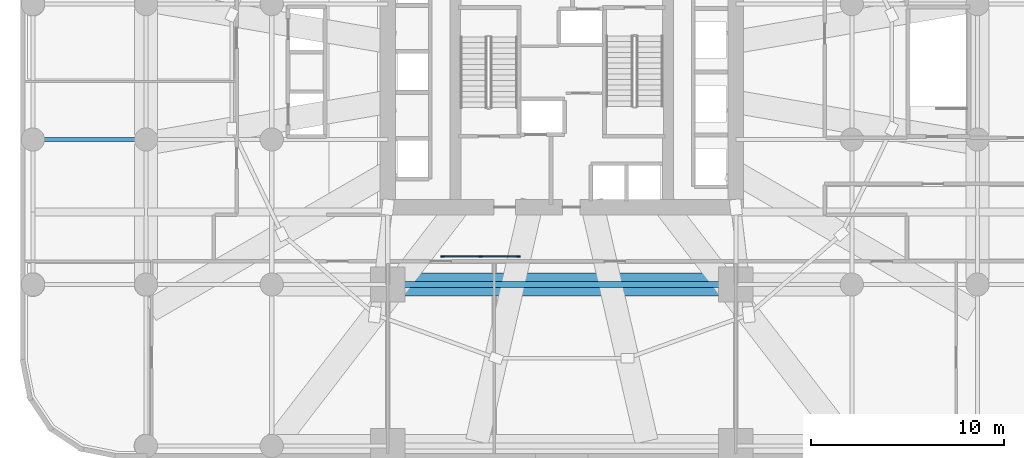
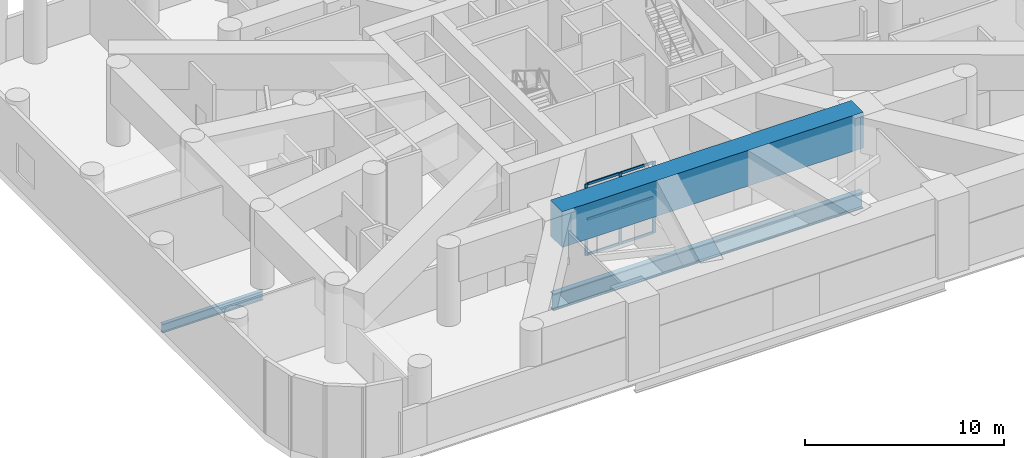
# One storey, part 2 of 10: 9 members, 3 beams, 1 element without a shape of its own.
"""IFC4 building model written with IfcOpenShell, lengths in metres."""

from ifc_helpers import new_model, si_unit, direction, frame, origin, origin_2d, place, context, subcontext, project, spatial, rectangle, i_section, extrude, material, material_profile, profile_set, type_object, element, aggregate, save


model = new_model("IFC4")

# Units and contexts
model_context = context("Model", 3, precision=1e-05, world=origin(), true_north=direction((0.0, 1.0)))
body_context = subcontext(model_context, "Body", "Model", "MODEL_VIEW")
ifc_project = project(units=[si_unit("LENGTHUNIT", "METRE"), si_unit("AREAUNIT", "SQUARE_METRE"), si_unit("VOLUMEUNIT", "CUBIC_METRE"), si_unit("PLANEANGLEUNIT", "RADIAN"), si_unit("MASSUNIT", "GRAM", prefix="KILO")], contexts=[model_context])

# Site, building, storey
site_placement = place(None, origin())
site = spatial("IfcSite", under=ifc_project, at=site_placement, CompositionType="ELEMENT")
building_placement = place(site_placement, origin())
building = spatial("IfcBuilding", under=site, at=building_placement, Name="Veldorim Arch Residences", CompositionType="ELEMENT")
storey_placement = place(building_placement, frame((0.0, 0.0, 20.0)))
storey = spatial("IfcBuildingStorey", under=building, at=storey_placement, Name="L05", CompositionType="ELEMENT", Elevation=20.0)

# Curtain wall, members
ifc_material_1 = material(Name="Aluminium", Category="aluminium")
curtain_wall_type = type_object("IfcCurtainWallType", Name="Crown Faceted Fritted Laminated Curtain Wall", PredefinedType="NOTDEFINED", material=ifc_material_1)
curtain_wall_placement = place(storey_placement, origin())
curtain_wall = element("IfcCurtainWall", 1, at=curtain_wall_placement, inside=storey, type_object=curtain_wall_type, Name="L05 S arch bridge clerestory curtain wall", PredefinedType="NOTDEFINED")
ifc_material_2 = material(Name="Aluminium", Category="aluminium")
ifc_material_profile_1 = material_profile(ifc_material_2, rectangle(XDim=0.070068359375, YDim=0.169921875, at=origin_2d()), Name="ALU_MUL_70x170")
ifc_profile_set_1 = profile_set([ifc_material_profile_1], Name="Aluminium")
member_type_1 = type_object("IfcMemberType", Name="Crown Faceted Fritted Laminated Curtain Wall Mullion 70x170", PredefinedType="MULLION", material=ifc_profile_set_1)
member_1_placement = place(storey_placement, frame((25.8349609375, 14.449951171875, 0.0), z_axis=(0.0, 0.0, 1.0), x_axis=(0.0, 1.0, 0.0)))
member_1 = element("IfcMember", 2, at=member_1_placement, type_object=member_type_1, Name="CW-CRN mullion 1", PredefinedType="MULLION", context=body_context, shape_type="SweptSolid", body=[
    extrude(rectangle(XDim=0.070068359375, YDim=0.169921875, at=origin_2d()), origin(), (0.0, 0.0, 1.0), 4.3798828125),
])
member_2_placement = place(storey_placement, frame((27.800048828125, 14.449951171875, 0.0), z_axis=(0.0, 0.0, 1.0), x_axis=(0.0, 1.0, 0.0)))
member_2 = element("IfcMember", 3, at=member_2_placement, type_object=member_type_1, Name="CW-CRN mullion 2", PredefinedType="MULLION", context=body_context, shape_type="SweptSolid", body=[
    extrude(rectangle(XDim=0.070068359375, YDim=0.169921875, at=origin_2d()), origin(), (0.0, 0.0, 1.0), 4.3798828125),
])
member_3_placement = place(storey_placement, frame((29.764892578125, 14.449951171875, 0.0), z_axis=(0.0, 0.0, 1.0), x_axis=(0.0, 1.0, 0.0)))
member_3 = element("IfcMember", 4, at=member_3_placement, type_object=member_type_1, Name="CW-CRN mullion 3", PredefinedType="MULLION", context=body_context, shape_type="SweptSolid", body=[
    extrude(rectangle(XDim=0.070068359375, YDim=0.169921875, at=origin_2d()), origin(), (0.0, 0.0, 1.0), 4.3798828125),
])
ifc_material_3 = material(Name="Aluminium", Category="aluminium")
ifc_material_profile_2 = material_profile(ifc_material_3, rectangle(XDim=0.070068359375, YDim=0.14990234375, at=origin_2d()), Name="ALU_TRN_70x150")
ifc_profile_set_2 = profile_set([ifc_material_profile_2], Name="Aluminium")
member_type_2 = type_object("IfcMemberType", Name="Crown Faceted Fritted Laminated Curtain Wall Transom 70x150", PredefinedType="USERDEFINED", material=ifc_profile_set_2)
member_4_placement = place(storey_placement, frame((25.8701171875, 14.449951171875, 0.034912109375), z_axis=(1.0, 0.0, 0.0), x_axis=(0.0, 1.0, 0.0)))
member_4 = element("IfcMember", 5, at=member_4_placement, type_object=member_type_2, Name="CW-CRN transom 1.1", ObjectType="TRANSOM", PredefinedType="USERDEFINED", context=body_context, shape_type="SweptSolid", body=[
    extrude(rectangle(XDim=0.070068359375, YDim=0.14990234375, at=origin_2d()), origin(), (0.0, 0.0, 1.0), 1.894775390625),
])
member_5_placement = place(storey_placement, frame((25.8701171875, 14.449951171875, 2.18994140625), z_axis=(1.0, 0.0, 0.0), x_axis=(0.0, 1.0, 0.0)))
member_5 = element("IfcMember", 6, at=member_5_placement, type_object=member_type_2, Name="CW-CRN transom 1.2", ObjectType="TRANSOM", PredefinedType="USERDEFINED", context=body_context, shape_type="SweptSolid", body=[
    extrude(rectangle(XDim=0.070068359375, YDim=0.14990234375, at=origin_2d()), origin(), (0.0, 0.0, 1.0), 1.894775390625),
])
member_6_placement = place(storey_placement, frame((25.8701171875, 14.449951171875, 4.344970703125), z_axis=(1.0, 0.0, 0.0), x_axis=(0.0, 1.0, 0.0)))
member_6 = element("IfcMember", 7, at=member_6_placement, type_object=member_type_2, Name="CW-CRN transom 1.3", ObjectType="TRANSOM", PredefinedType="USERDEFINED", context=body_context, shape_type="SweptSolid", body=[
    extrude(rectangle(XDim=0.070068359375, YDim=0.14990234375, at=origin_2d()), origin(), (0.0, 0.0, 1.0), 1.894775390625),
])
member_7_placement = place(storey_placement, frame((27.8349609375, 14.449951171875, 0.034912109375), z_axis=(1.0, 0.0, 0.0), x_axis=(0.0, 1.0, 0.0)))
member_7 = element("IfcMember", 8, at=member_7_placement, type_object=member_type_2, Name="CW-CRN transom 2.1", ObjectType="TRANSOM", PredefinedType="USERDEFINED", context=body_context, shape_type="SweptSolid", body=[
    extrude(rectangle(XDim=0.070068359375, YDim=0.14990234375, at=origin_2d()), origin(), (0.0, 0.0, 1.0), 1.89501953125),
])
member_8_placement = place(storey_placement, frame((27.8349609375, 14.449951171875, 2.18994140625), z_axis=(1.0, 0.0, 0.0), x_axis=(0.0, 1.0, 0.0)))
member_8 = element("IfcMember", 9, at=member_8_placement, type_object=member_type_2, Name="CW-CRN transom 2.2", ObjectType="TRANSOM", PredefinedType="USERDEFINED", context=body_context, shape_type="SweptSolid", body=[
    extrude(rectangle(XDim=0.070068359375, YDim=0.14990234375, at=origin_2d()), origin(), (0.0, 0.0, 1.0), 1.89501953125),
])
member_9_placement = place(storey_placement, frame((27.8349609375, 14.449951171875, 4.344970703125), z_axis=(1.0, 0.0, 0.0), x_axis=(0.0, 1.0, 0.0)))
member_9 = element("IfcMember", 10, at=member_9_placement, type_object=member_type_2, Name="CW-CRN transom 2.3", ObjectType="TRANSOM", PredefinedType="USERDEFINED", context=body_context, shape_type="SweptSolid", body=[
    extrude(rectangle(XDim=0.070068359375, YDim=0.14990234375, at=origin_2d()), origin(), (0.0, 0.0, 1.0), 1.89501953125),
])
aggregate(curtain_wall, [member_1, member_2, member_3, member_4, member_5, member_6, member_7, member_8, member_9])

# Beams
ifc_material_4 = material(Name="Concrete C60/75", Category="concrete")
ifc_material_profile_3 = material_profile(ifc_material_4, rectangle(XDim=1.199951171875, YDim=2.199951171875, at=origin_2d()), Name="RC_RECT_1200x2200")
ifc_profile_set_3 = profile_set([ifc_material_profile_3], Name="Concrete C60/75")
beam_type_1 = type_object("IfcBeamType", Name="Reinforced Concrete TRANSFER GIRDER RC_RECT_1200x2200", PredefinedType="USERDEFINED", material=ifc_profile_set_3)
beam_1_placement = place(storey_placement, frame((23.25, 13.0, 3.699951171875), z_axis=(1.0, 0.0, 0.0), x_axis=(0.0, 1.0, 0.0)))
element("IfcBeam", 11, at=beam_1_placement, inside=storey, type_object=beam_type_1, Name="L05 primary east-west transfer girder Y=13.00 M", ObjectType="TRANSFER GIRDER", PredefinedType="USERDEFINED", context=body_context, shape_type="SweptSolid", body=[
    extrude(rectangle(XDim=1.199951171875, YDim=2.199951171875, at=origin_2d()), origin(), (0.0, 0.0, 1.0), 17.5),
])
ifc_material_5 = material(Name="Steel S355", Category="steel")
ifc_material_profile_4 = material_profile(ifc_material_5, i_section(OverallWidth=0.2119140625, OverallDepth=0.54443359375, WebThickness=0.0126953125, FlangeThickness=0.021240234375, at=origin_2d()), Name="UB533x210x122")
ifc_profile_set_4 = profile_set([ifc_material_profile_4], Name="Steel S355")
beam_type_2 = type_object("IfcBeamType", Name="Structural Steel Beam UB533x210x122", PredefinedType="BEAM", material=ifc_profile_set_4)
beam_2_placement = place(storey_placement, frame((4.64990234375, 20.5, -0.72216796875), z_axis=(1.0, 0.0, 0.0), x_axis=(0.0, 1.0, 0.0)))
element("IfcBeam", 12, at=beam_2_placement, inside=storey, type_object=beam_type_2, Name="L05 east-west floor beam (4.7-10.5, Y=20.5)", PredefinedType="BEAM", context=body_context, shape_type="SweptSolid", body=[
    extrude(i_section(OverallWidth=0.2119140625, OverallDepth=0.54443359375, WebThickness=0.0126953125, FlangeThickness=0.021240234375, at=origin_2d()), origin(), (0.0, 0.0, 1.0), 5.85009765625),
])
ifc_material_6 = material(Name="Steel S460", Category="steel")
ifc_material_profile_5 = material_profile(ifc_material_6, i_section(OverallWidth=0.305419921875, OverallDepth=1.02587890625, WebThickness=0.02685546875, FlangeThickness=0.053955078125, at=origin_2d()), Name="UB1016x305x437")
ifc_profile_set_5 = profile_set([ifc_material_profile_5], Name="Steel S460")
beam_type_3 = type_object("IfcBeamType", Name="Structural Steel GIRDER UB1016x305x437", PredefinedType="USERDEFINED", material=ifc_profile_set_5)
beam_3_placement = place(storey_placement, frame((23.0, 13.0, -0.962890625), z_axis=(1.0, 0.0, 0.0), x_axis=(0.0, 1.0, 0.0)))
element("IfcBeam", 13, at=beam_3_placement, inside=storey, type_object=beam_type_3, Name="L05 east-west floor beam (23.0-41.0, Y=13.0)", ObjectType="GIRDER", PredefinedType="USERDEFINED", context=body_context, shape_type="SweptSolid", body=[
    extrude(i_section(OverallWidth=0.305419921875, OverallDepth=1.02587890625, WebThickness=0.02685546875, FlangeThickness=0.053955078125, at=origin_2d()), origin(), (0.0, 0.0, 1.0), 18.0),
])

save(model, "model.ifc")
